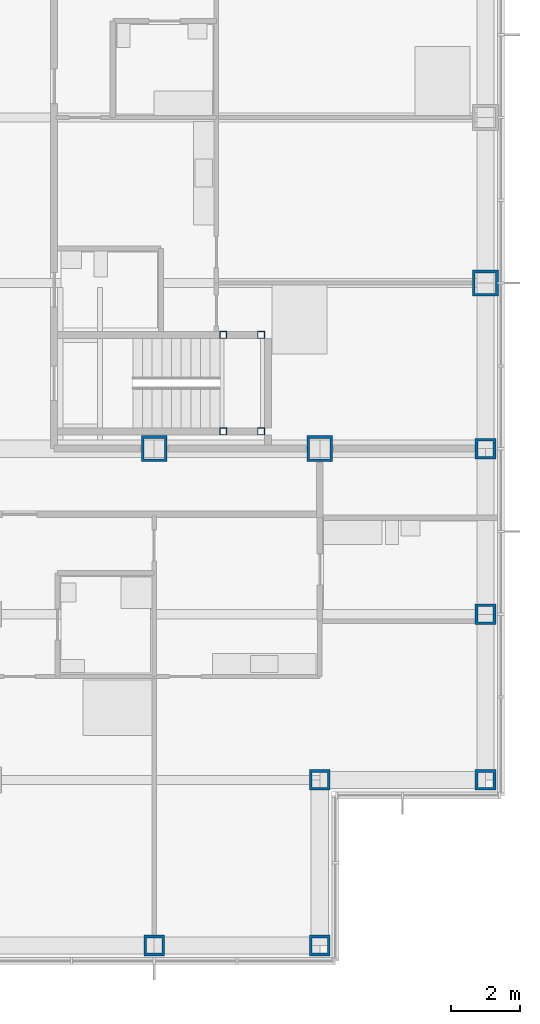
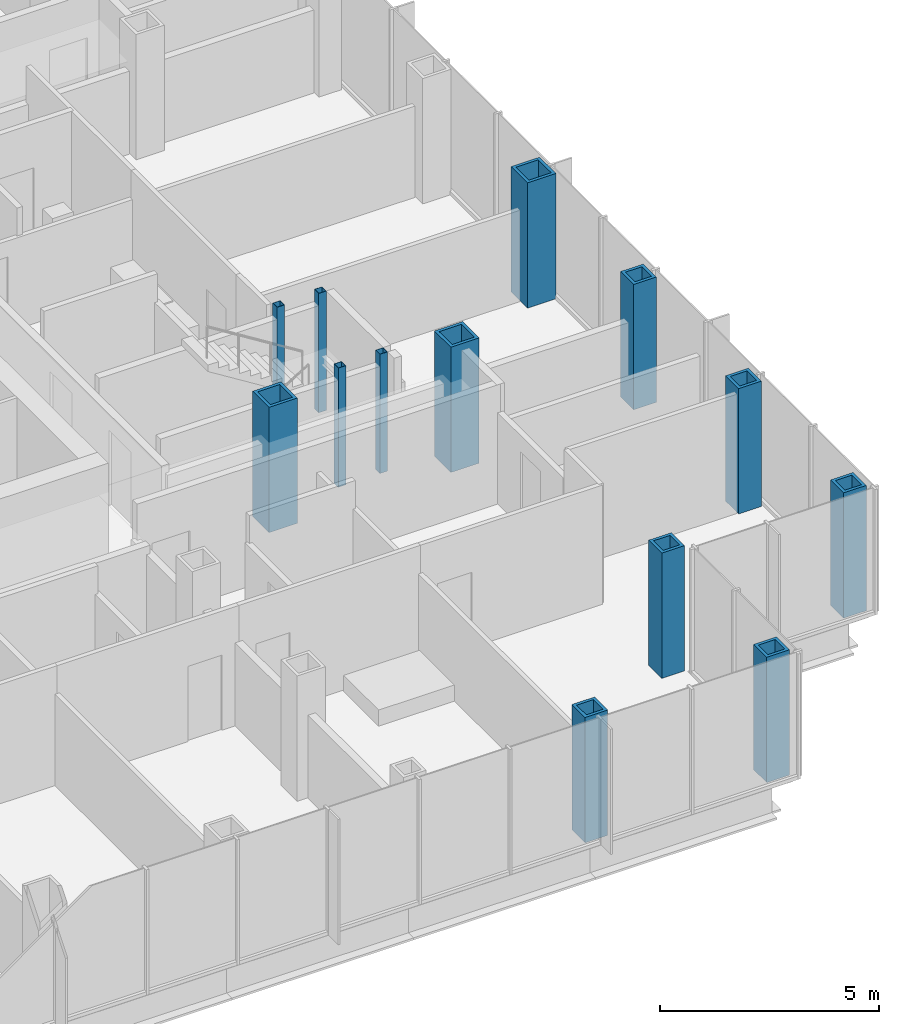
# One storey, part 4 of 21: 13 columns.
"""IFC4 building model written with IfcOpenShell, lengths in metres."""

from ifc_helpers import new_model, si_unit, direction, frame, origin, origin_2d, place, context, subcontext, project, spatial, hollow_rectangle, extrude, material, material_profile, profile_set, type_object, element, save


model = new_model("IFC4")

# Units and contexts
model_context = context("Model", 3, precision=1e-05, world=origin(), true_north=direction((0.0, 1.0)))
body_context = subcontext(model_context, "Body", "Model", "MODEL_VIEW")
ifc_project = project(units=[si_unit("LENGTHUNIT", "METRE"), si_unit("AREAUNIT", "SQUARE_METRE"), si_unit("VOLUMEUNIT", "CUBIC_METRE"), si_unit("PLANEANGLEUNIT", "RADIAN"), si_unit("MASSUNIT", "GRAM", prefix="KILO")], contexts=[model_context])

# Site, building, storey
site_placement = place(None, origin())
site = spatial("IfcSite", under=ifc_project, at=site_placement, CompositionType="ELEMENT")
building_placement = place(site_placement, origin())
building = spatial("IfcBuilding", under=site, at=building_placement, Name="Kvirike Care Tower", CompositionType="ELEMENT")
storey_placement = place(building_placement, frame((0.0, 0.0, 62.0)))
storey = spatial("IfcBuildingStorey", under=building, at=storey_placement, Name="L16", CompositionType="ELEMENT", Elevation=62.0)

# Columns
ifc_material_1 = material(Name="Steel S460", Category="steel")
ifc_material_profile_1 = material_profile(ifc_material_1, hollow_rectangle(XDim=0.60009765625, YDim=0.60009765625, WallThickness=0.080078125, at=origin_2d()), Name="BX 600x600x80")
ifc_profile_set_1 = profile_set([ifc_material_profile_1], Name="Steel S460")
column_type_1 = type_object("IfcColumnType", Name="COLUMN BX 600x600x80", PredefinedType="COLUMN", material=ifc_profile_set_1)
for number, where, z_axis, x_axis, name in (
    (1, (33.60009765625, 14.39990234375, 0.0), (0.0, 0.0, 1.0), (0.0, 1.0, 0.0), "Column D10 L16"),
    (2, (38.39990234375, 14.39990234375, 0.0), (0.0, 0.0, 1.0), (0.0, 1.0, 0.0), "Column D11 L16"),
    (3, (38.39990234375, 19.199951171875, 0.0), (0.0, 0.0, 1.0), (0.0, 1.0, 0.0), "Column E11 L16"),
    (4, (43.199951171875, 19.199951171875, 0.0), (0.0, 0.0, 1.0), (0.0, 1.0, 0.0), "Column E12 L16"),
    (5, (43.199951171875, 24.0, 0.0), (0.0, 0.0, 1.0), (1.0, 0.0, 0.0), "Column F12 L16"),
    (6, (43.199951171875, 28.800048828125, 0.0), (0.0, 0.0, 1.0), (0.0, 1.0, 0.0), "Column G12 L16"),
):
    element("IfcColumn", number, at=place(storey_placement, frame(where, z_axis=z_axis, x_axis=x_axis)), inside=storey, type_object=column_type_1, Name=name, PredefinedType="COLUMN", context=body_context, shape_type="SweptSolid", body=[
        extrude(hollow_rectangle(XDim=0.60009765625, YDim=0.60009765625, WallThickness=0.080078125, at=origin_2d()), origin(), (0.0, 0.0, 1.0), 3.5),
    ])
ifc_material_2 = material(Name="Steel S460", Category="steel")
ifc_material_profile_2 = material_profile(ifc_material_2, hollow_rectangle(XDim=0.75, YDim=0.75, WallThickness=0.080078125, at=origin_2d()), Name="BX 750x750x80")
ifc_profile_set_2 = profile_set([ifc_material_profile_2], Name="Steel S460")
column_type_2 = type_object("IfcColumnType", Name="COLUMN BX 750x750x80", PredefinedType="COLUMN", material=ifc_profile_set_2)
for number, where, z_axis, x_axis, name in (
    (7, (33.60009765625, 28.800048828125, 0.0), (0.0, 0.0, 1.0), (0.0, 1.0, 0.0), "Column G10 L16"),
    (8, (38.39990234375, 28.800048828125, 0.0), (0.0, 0.0, 1.0), (0.0, 1.0, 0.0), "Column G11 L16"),
    (9, (43.199951171875, 33.60009765625, 0.0), (0.0, 0.0, 1.0), (1.0, 0.0, 0.0), "Column H12 L16"),
):
    element("IfcColumn", number, at=place(storey_placement, frame(where, z_axis=z_axis, x_axis=x_axis)), inside=storey, type_object=column_type_2, Name=name, PredefinedType="COLUMN", context=body_context, shape_type="SweptSolid", body=[
        extrude(hollow_rectangle(XDim=0.75, YDim=0.75, WallThickness=0.080078125, at=origin_2d()), origin(), (0.0, 0.0, 1.0), 3.5),
    ])
ifc_material_3 = material(Name="Steel S460", Category="steel")
ifc_material_profile_3 = material_profile(ifc_material_3, hollow_rectangle(XDim=0.199951171875, YDim=0.199951171875, WallThickness=0.008056640625, at=origin_2d()), Name="SHS 200x200x8")
ifc_profile_set_3 = profile_set([ifc_material_profile_3], Name="Steel S460")
column_type_3 = type_object("IfcColumnType", Name="STAIR POST SHS 200x200x8", PredefinedType="COLUMN", material=ifc_profile_set_3)
for number, where, z_axis, x_axis, name in (
    (10, (36.699951171875, 29.300048828125, 0.0), (0.0, 0.0, 1.0), (1.0, 0.0, 0.0), "Stair 2 post 1 L16"),
    (11, (36.699951171875, 32.10009765625, 0.0), (0.0, 0.0, 1.0), (1.0, 0.0, 0.0), "Stair 2 post 2 L16"),
    (12, (35.60009765625, 29.300048828125, 0.0), (0.0, 0.0, 1.0), (1.0, 0.0, 0.0), "Stair 2 post 3 L16"),
    (13, (35.60009765625, 32.10009765625, 0.0), (0.0, 0.0, 1.0), (1.0, 0.0, 0.0), "Stair 2 post 4 L16"),
):
    element("IfcColumn", number, at=place(storey_placement, frame(where, z_axis=z_axis, x_axis=x_axis)), inside=storey, type_object=column_type_3, Name=name, PredefinedType="COLUMN", context=body_context, shape_type="SweptSolid", body=[
        extrude(hollow_rectangle(XDim=0.199951171875, YDim=0.199951171875, WallThickness=0.008056640625, at=origin_2d()), origin(), (0.0, 0.0, 1.0), 3.330078125),
    ])

save(model, "model.ifc")
